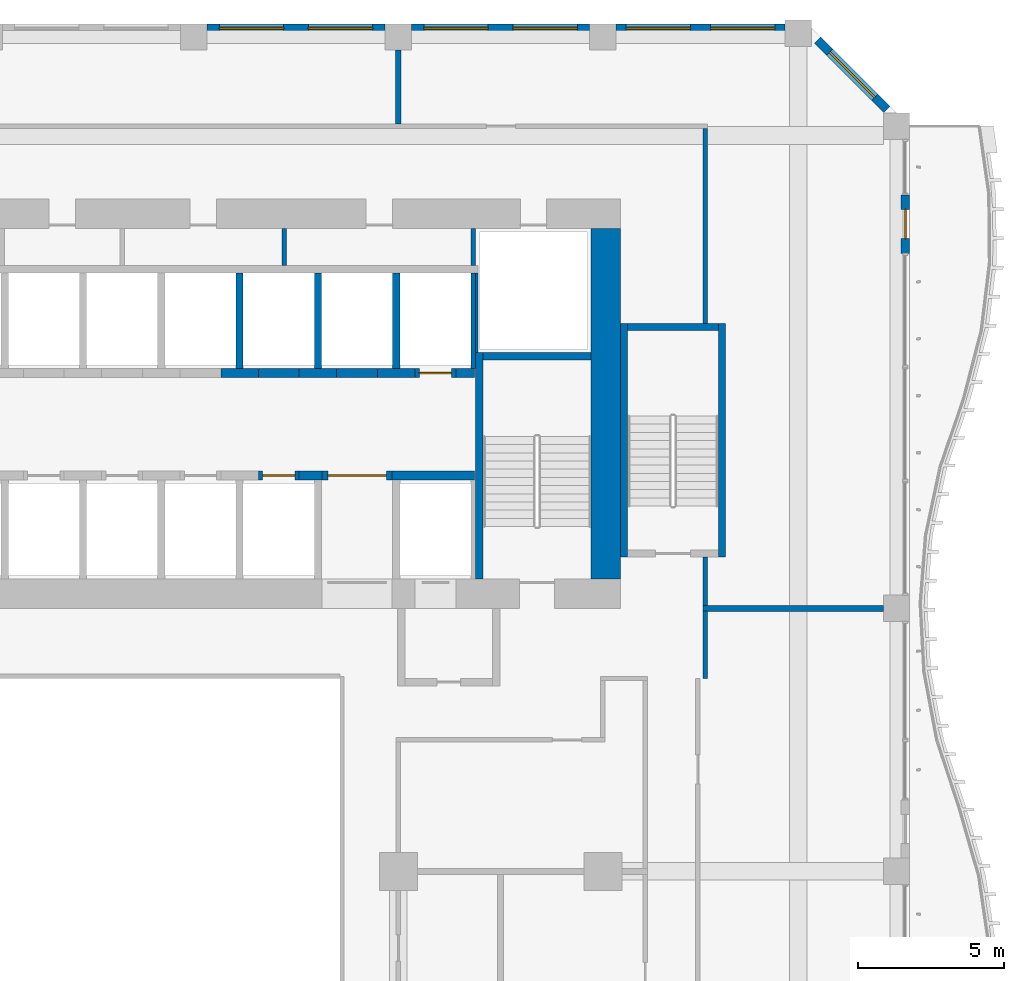
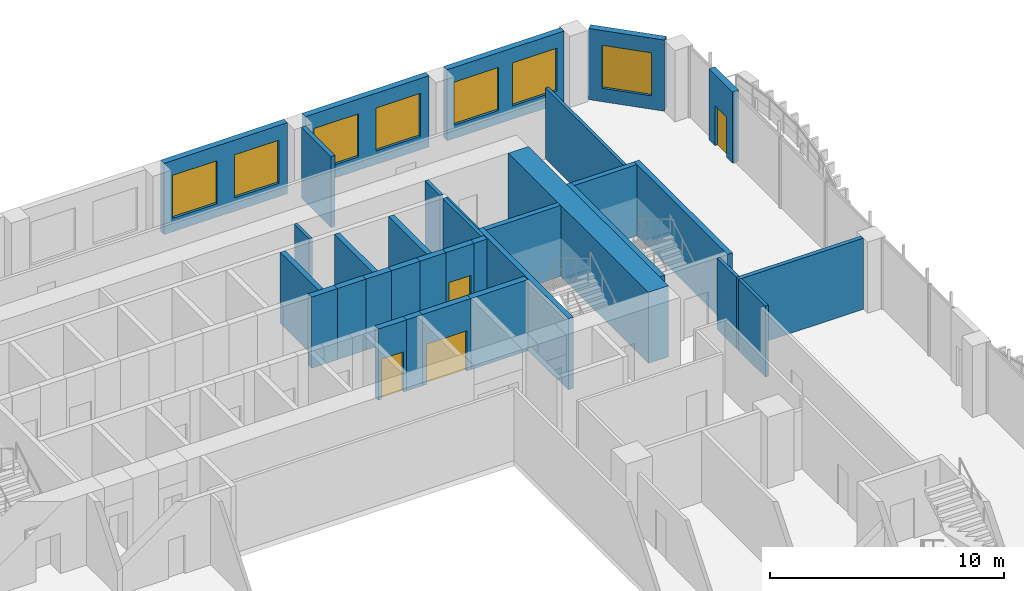
# One storey, part 17 of 26: 34 walls, 7 windows, 4 doors, 11 openings.
"""IFC4 building model written with IfcOpenShell, lengths in metres."""

from ifc_helpers import new_model, si_unit, direction, frame, frame_2d, origin, place, context, subcontext, project, spatial, rectangle, extrude, source, transform, mapped, material, layer, layer_set, type_object, element, fill, save


model = new_model("IFC4")

# Units and contexts
model_context = context("Model", 3, precision=1e-05, world=origin(), true_north=direction((0.0, 1.0)))
body_context = subcontext(model_context, "Body", "Model", "MODEL_VIEW")
ifc_project = project(units=[si_unit("LENGTHUNIT", "METRE"), si_unit("AREAUNIT", "SQUARE_METRE"), si_unit("VOLUMEUNIT", "CUBIC_METRE"), si_unit("PLANEANGLEUNIT", "RADIAN"), si_unit("MASSUNIT", "GRAM", prefix="KILO")], contexts=[model_context])

# Site, building, storey
site_placement = place(None, origin())
site = spatial("IfcSite", under=ifc_project, at=site_placement, CompositionType="ELEMENT")
building_placement = place(site_placement, origin())
building = spatial("IfcBuilding", under=site, at=building_placement, Name="Kilnfold Tower and Market Hall", CompositionType="ELEMENT")
storey_placement = place(building_placement, frame((0.0, 0.0, 31.0)))
storey = spatial("IfcBuildingStorey", under=building, at=storey_placement, Name="L06", CompositionType="ELEMENT", Elevation=31.0)

# Walls
ifc_material_1 = material(Name="Gypsum board on steel studs", Category="steel")
ifc_layer_1 = layer(ifc_material_1, 0.14990234375)
ifc_layer_set_1 = layer_set([ifc_layer_1], Name="Gypsum board on steel studs")
wall_type_1 = type_object("IfcWallType", Name="WALL CORRIDOR 150", PredefinedType="PARTITIONING", material=ifc_layer_set_1)
wall_1_placement = place(storey_placement, frame((21.0, 5.60009765625, 0.0), z_axis=(0.0, 0.0, 1.0), x_axis=(0.0, 1.0, 0.0)))
element("IfcWall", 1, at=wall_1_placement, inside=storey, type_object=wall_type_1, Name="Partition LY06.28", PredefinedType="PARTITIONING", context=body_context, shape_type="SweptSolid", body=[
    extrude(rectangle(XDim=2.309814453125, YDim=0.14990234375, at=frame_2d((1.15478515625, 0.0))), origin(), (0.0, 0.0, 1.0), 3.719970703125),
])
wall_2_placement = place(storey_placement, frame((21.0, 17.75, 0.0), z_axis=(0.0, 0.0, 1.0), x_axis=(0.0, 1.0, 0.0)))
element("IfcWall", 2, at=wall_2_placement, inside=storey, type_object=wall_type_1, Name="Partition LY06.30", PredefinedType="PARTITIONING", context=body_context, shape_type="SweptSolid", body=[
    extrude(rectangle(XDim=6.675048828125, YDim=0.14990234375, at=frame_2d((3.33740234375, 0.0))), origin(), (0.0, 0.0, 1.0), 3.719970703125),
])
wall_3_placement = place(storey_placement, frame((21.0, 8.090087890625, 0.0), z_axis=(0.0, 0.0, 1.0), x_axis=(0.0, 1.0, 0.0)))
element("IfcWall", 3, at=wall_3_placement, inside=storey, type_object=wall_type_1, Name="Partition LY06.31", PredefinedType="PARTITIONING", context=body_context, shape_type="SweptSolid", body=[
    extrude(rectangle(XDim=1.659912109375, YDim=0.14990234375, at=frame_2d((0.830078125, 0.0))), origin(), (0.0, 0.0, 1.0), 3.719970703125),
])
ifc_material_2 = material(Name="Gypsum board on steel studs", Category="steel")
ifc_layer_2 = layer(ifc_material_2, 0.199951171875)
ifc_layer_set_2 = layer_set([ifc_layer_2], Name="Gypsum board on steel studs")
wall_type_2 = type_object("IfcWallType", Name="WALL PARTY 200", PredefinedType="PARTITIONING", material=ifc_layer_set_2)
wall_4_placement = place(storey_placement, frame((20.926025390625, 8.0, 0.0), z_axis=(0.0, 0.0, 1.0), x_axis=(1.0, 0.0, 0.0)))
element("IfcWall", 4, at=wall_4_placement, inside=storey, type_object=wall_type_2, Name="Partition LY06.56", PredefinedType="PARTITIONING", context=body_context, shape_type="SweptSolid", body=[
    extrude(rectangle(XDim=6.174072265625, YDim=0.199951171875, at=frame_2d((3.0869140625, 0.0))), origin(), (0.0, 0.0, 1.0), 3.719970703125),
])
wall_5_placement = place(storey_placement, frame((10.5, 24.575927734375, 0.0), z_axis=(0.0, 0.0, 1.0), x_axis=(0.0, 1.0, 0.0)))
element("IfcWall", 5, at=wall_5_placement, inside=storey, type_object=wall_type_2, Name="Partition LY06.57", PredefinedType="PARTITIONING", context=body_context, shape_type="SweptSolid", body=[
    extrude(rectangle(XDim=2.524169921875, YDim=0.199951171875, at=frame_2d((1.26220703125, 0.0))), origin(), (0.0, 0.0, 1.0), 3.719970703125),
])
ifc_material_3 = material(Name="Concrete C80", Category="concrete")
ifc_layer_3 = layer(ifc_material_3, 1.0)
ifc_layer_set_3 = layer_set([ifc_layer_3], Name="Concrete C80")
wall_type_3 = type_object("IfcWallType", Name="CORE WALL 1000 C80", PredefinedType="SHEAR", material=ifc_layer_set_3)
shared_shape_1 = source(origin(), body_context, "Body", "SweptSolid", [
    extrude(rectangle(XDim=12.0, YDim=1.0, at=frame_2d((6.0, 0.0))), origin(), (0.0, 0.0, 1.0), 3.719970703125),
])
wall_6_placement = place(storey_placement, frame((17.60009765625, 9.0, 0.0), z_axis=(0.0, 0.0, 1.0), x_axis=(0.0, 1.0, 0.0)))
element("IfcWall", 6, at=wall_6_placement, inside=storey, type_object=wall_type_3, Name="Core outer wall east", PredefinedType="SHEAR", context=body_context, shape_type="MappedRepresentation", body=[
    mapped(shared_shape_1, transform((0.0, 0.0, 0.0))),
])
ifc_material_4 = material(Name="Concrete C80", Category="concrete")
ifc_layer_4 = layer(ifc_material_4, 0.25)
ifc_layer_set_4 = layer_set([ifc_layer_4], Name="Concrete C80")
wall_type_4 = type_object("IfcWallType", Name="CORE WALL 250 C80", PredefinedType="SHEAR", material=ifc_layer_set_4)
shared_shape_2 = source(origin(), body_context, "Body", "SweptSolid", [
    extrude(rectangle(XDim=7.75, YDim=0.25, at=frame_2d((3.875, 0.0))), origin(), (0.0, 0.0, 1.0), 3.719970703125),
])
wall_7_placement = place(storey_placement, frame((13.27490234375, 9.0, 0.0), z_axis=(0.0, 0.0, 1.0), x_axis=(0.0, 1.0, 0.0)))
element("IfcWall", 7, at=wall_7_placement, inside=storey, type_object=wall_type_4, Name="Stair enclosure ST2", PredefinedType="SHEAR", context=body_context, shape_type="MappedRepresentation", body=[
    mapped(shared_shape_2, transform((0.0, 0.0, 0.0))),
])
shared_shape_3 = source(origin(), body_context, "Body", "SweptSolid", [
    extrude(rectangle(XDim=3.7001953125, YDim=0.25, at=frame_2d((1.85009765625, 0.0))), origin(), (0.0, 0.0, 1.0), 3.719970703125),
])
wall_8_placement = place(storey_placement, frame((13.39990234375, 16.625, 0.0), z_axis=(0.0, 0.0, 1.0), x_axis=(1.0, 0.0, 0.0)))
element("IfcWall", 8, at=wall_8_placement, inside=storey, type_object=wall_type_4, Name="Stair enclosure ST2", PredefinedType="SHEAR", context=body_context, shape_type="MappedRepresentation", body=[
    mapped(shared_shape_3, transform((0.0, 0.0, 0.0))),
])
shared_shape_4 = source(origin(), body_context, "Body", "SweptSolid", [
    extrude(rectangle(XDim=8.0, YDim=0.25, at=frame_2d((4.0, 0.0))), origin(), (0.0, 0.0, 1.0), 3.719970703125),
])
for number, where, z_axis, x_axis, name in (
    (9, (18.22509765625, 9.75, 0.0), (0.0, 0.0, 1.0), (0.0, 1.0, 0.0), "Stair enclosure ST5"),
    (10, (21.574951171875, 9.75, 0.0), (0.0, 0.0, 1.0), (0.0, 1.0, 0.0), "Stair enclosure ST5"),
):
    element("IfcWall", number, at=place(storey_placement, frame(where, z_axis=z_axis, x_axis=x_axis)), inside=storey, type_object=wall_type_4, Name=name, PredefinedType="SHEAR", context=body_context, shape_type="MappedRepresentation", body=[
        mapped(shared_shape_4, transform((0.0, 0.0, 0.0))),
    ])
shared_shape_5 = source(origin(), body_context, "Body", "SweptSolid", [
    extrude(rectangle(XDim=3.099853515625, YDim=0.25, at=frame_2d((1.5498046875, 0.0))), origin(), (0.0, 0.0, 1.0), 3.719970703125),
])
wall_9_placement = place(storey_placement, frame((18.35009765625, 17.625, 0.0), z_axis=(0.0, 0.0, 1.0), x_axis=(1.0, 0.0, 0.0)))
element("IfcWall", 11, at=wall_9_placement, inside=storey, type_object=wall_type_4, Name="Stair enclosure ST5", PredefinedType="SHEAR", context=body_context, shape_type="MappedRepresentation", body=[
    mapped(shared_shape_5, transform((0.0, 0.0, 0.0))),
])
ifc_material_5 = material(Name="Concrete C80", Category="concrete")
ifc_layer_5 = layer(ifc_material_5, 0.300048828125)
ifc_layer_set_5 = layer_set([ifc_layer_5], Name="Concrete C80")
wall_type_5 = type_object("IfcWallType", Name="CORE WALL 300 C80", PredefinedType="SHEAR", material=ifc_layer_set_5)
shared_shape_6 = source(origin(), body_context, "Body", "SweptSolid", [
    extrude(rectangle(XDim=1.280029296875, YDim=0.300048828125, at=frame_2d((0.64013671875, 0.0))), origin(), (0.0, 0.0, 1.0), 3.719970703125),
])
for number, where, z_axis, x_axis, name in (
    (12, (4.429931640625, 16.050048828125, 0.0), (0.0, 0.0, 1.0), (1.0, 0.0, 0.0), "Core spine wall"),
    (13, (9.7900390625, 16.050048828125, 0.0), (0.0, 0.0, 1.0), (1.0, 0.0, 0.0), "Core spine wall"),
):
    element("IfcWall", number, at=place(storey_placement, frame(where, z_axis=z_axis, x_axis=x_axis)), inside=storey, type_object=wall_type_5, Name=name, PredefinedType="SHEAR", context=body_context, shape_type="MappedRepresentation", body=[
        mapped(shared_shape_6, transform((0.0, 0.0, 0.0))),
    ])
shared_shape_7 = source(origin(), body_context, "Body", "SweptSolid", [
    extrude(rectangle(XDim=0.77978515625, YDim=0.300048828125, at=frame_2d((0.389892578125, 0.0))), origin(), (0.0, 0.0, 1.0), 3.719970703125),
])
wall_10_placement = place(storey_placement, frame((7.110107421875, 12.550048828125, 0.0), z_axis=(0.0, 0.0, 1.0), x_axis=(1.0, 0.0, 0.0)))
element("IfcWall", 14, at=wall_10_placement, inside=storey, type_object=wall_type_5, Name="Core spine wall", PredefinedType="SHEAR", context=body_context, shape_type="MappedRepresentation", body=[
    mapped(shared_shape_7, transform((0.0, 0.0, 0.0))),
])
shared_shape_8 = source(origin(), body_context, "Body", "SweptSolid", [
    extrude(rectangle(XDim=2.820068359375, YDim=0.300048828125, at=frame_2d((1.41015625, 0.0))), origin(), (0.0, 0.0, 1.0), 3.719970703125),
])
wall_11_placement = place(storey_placement, frame((10.2900390625, 12.550048828125, 0.0), z_axis=(0.0, 0.0, 1.0), x_axis=(1.0, 0.0, 0.0)))
element("IfcWall", 15, at=wall_11_placement, inside=storey, type_object=wall_type_5, Name="Core spine wall", PredefinedType="SHEAR", context=body_context, shape_type="MappedRepresentation", body=[
    mapped(shared_shape_8, transform((0.0, 0.0, 0.0))),
])
shared_shape_9 = source(origin(), body_context, "Body", "SweptSolid", [
    extrude(rectangle(XDim=1.27978515625, YDim=0.300048828125, at=frame_2d((0.639892578125, 0.0))), origin(), (0.0, 0.0, 1.0), 3.719970703125),
])
wall_12_placement = place(storey_placement, frame((7.110107421875, 16.050048828125, 0.0), z_axis=(0.0, 0.0, 1.0), x_axis=(1.0, 0.0, 0.0)))
element("IfcWall", 16, at=wall_12_placement, inside=storey, type_object=wall_type_5, Name="Core spine wall", PredefinedType="SHEAR", context=body_context, shape_type="MappedRepresentation", body=[
    mapped(shared_shape_9, transform((0.0, 0.0, 0.0))),
])
shared_shape_10 = source(origin(), body_context, "Body", "SweptSolid", [
    extrude(rectangle(XDim=0.64013671875, YDim=0.300048828125, at=frame_2d((0.320068359375, 0.0))), origin(), (0.0, 0.0, 1.0), 3.719970703125),
])
wall_13_placement = place(storey_placement, frame((12.469970703125, 16.050048828125, 0.0), z_axis=(0.0, 0.0, 1.0), x_axis=(1.0, 0.0, 0.0)))
element("IfcWall", 17, at=wall_13_placement, inside=storey, type_object=wall_type_5, Name="Core spine wall", PredefinedType="SHEAR", context=body_context, shape_type="MappedRepresentation", body=[
    mapped(shared_shape_10, transform((0.0, 0.0, 0.0))),
])

# Wall, opening, door
ifc_material_6 = material(Name="Precast concrete C50/60", Category="concrete")
ifc_layer_6 = layer(ifc_material_6, 0.300048828125)
ifc_layer_set_6 = layer_set([ifc_layer_6], Name="Precast concrete C50/60")
wall_type_6 = type_object("IfcWallType", Name="PRECAST WALL 300", PredefinedType="SOLIDWALL", material=ifc_layer_set_6)
shared_shape_11 = source(origin(), body_context, "Body", "SweptSolid", [
    extrude(rectangle(XDim=2.0, YDim=0.300048828125, at=frame_2d((1.0, 0.0))), origin(), (0.0, 0.0, 1.0), 3.719970703125),
])
wall_14_placement = place(storey_placement, frame((27.85009765625, 20.14990234375, 0.0), z_axis=(0.0, 0.0, 1.0), x_axis=(0.0, 1.0, 0.0)))
wall_14 = element("IfcWall", 18, at=wall_14_placement, inside=storey, type_object=wall_type_6, Name="External wall L06 E", PredefinedType="SOLIDWALL", context=body_context, shape_type="MappedRepresentation", body=[
    mapped(shared_shape_11, transform((0.0, 0.0, 0.0))),
])
opening_1_placement = place(wall_14_placement, frame((0.5, 0.0, 0.0)))
opening_1 = element("IfcOpeningElement", 19, at=opening_1_placement, cuts=wall_14, Name="Opening BD1", PredefinedType="OPENING", context=body_context, shape_type="SweptSolid", body=[
    extrude(rectangle(XDim=1.0, YDim=2.10009765625, at=frame_2d((0.5, 1.050048828125))), frame((0.0, 0.16015625, 0.0), z_axis=(0.0, -1.0, 0.0), x_axis=(1.0, 0.0, 0.0)), (0.0, 0.0, 1.0), 0.320068359375),
])
ifc_material_7 = material(Name="Aluminium frame and double glazing", Category="aluminium")
door_type_1 = type_object("IfcDoorType", Name="BALCONY DOOR 1000X2100", OperationType="NOTDEFINED", PredefinedType="DOOR", material=ifc_material_7)
door_1_placement = place(opening_1_placement, origin())
door_1 = element("IfcDoor", 20, at=door_1_placement, inside=storey, type_object=door_type_1, Name="Balcony door BD1 L06 E-4", OperationType="SINGLE_SWING_RIGHT", OverallHeight=2.10009765625, OverallWidth=1.0, PredefinedType="DOOR", context=body_context, shape_type="SweptSolid", body=[
    extrude(rectangle(XDim=1.0, YDim=2.10009765625, at=frame_2d((0.5, 1.050048828125))), frame((0.0, 0.02490234375, 0.0), z_axis=(0.0, -1.0, 0.0), x_axis=(1.0, 0.0, 0.0)), (0.0, 0.0, 1.0), 0.050048828125),
])
fill(opening_1, door_1)

# Wall, opening, window
shared_shape_12 = source(origin(), body_context, "Body", "SweptSolid", [
    extrude(rectangle(XDim=3.35888671875, YDim=0.300048828125, at=frame_2d((1.679443359375, 0.0))), origin(), (0.0, 0.0, 1.0), 3.719970703125),
])
wall_15_placement = place(storey_placement, frame((27.218994140625, 25.06884765625, 0.0), z_axis=(0.0, 0.0, 1.0), x_axis=(-0.707070438228, 0.707143122278, 0.0)))
wall_15 = element("IfcWall", 21, at=wall_15_placement, inside=storey, type_object=wall_type_6, Name="External wall L06 NE", PredefinedType="SOLIDWALL", context=body_context, shape_type="MappedRepresentation", body=[
    mapped(shared_shape_12, transform((0.0, 0.0, 0.0))),
])
opening_2_placement = place(wall_15_placement, frame((0.579345703125, 0.0, 0.699951171875)))
opening_2 = element("IfcOpeningElement", 22, at=opening_2_placement, cuts=wall_15, Name="Opening W1", PredefinedType="OPENING", context=body_context, shape_type="SweptSolid", body=[
    extrude(rectangle(XDim=2.199951171875, YDim=2.25, at=frame_2d((1.10009765625, 1.125))), frame((0.0, 0.16015625, 0.0), z_axis=(0.0, -1.0, 0.0), x_axis=(1.0, 0.0, 0.0)), (0.0, 0.0, 1.0), 0.320068359375),
])
ifc_material_8 = material(Name="Aluminium frame and double glazing", Category="aluminium")
window_type = type_object("IfcWindowType", Name="WINDOW W1 2200X2250", PartitioningType="SINGLE_PANEL", PredefinedType="WINDOW", material=ifc_material_8)
window_1_placement = place(opening_2_placement, origin())
window_1 = element("IfcWindow", 23, at=window_1_placement, inside=storey, type_object=window_type, Name="Window W1 L06 NE-1", OverallHeight=2.25, OverallWidth=2.199951171875, PartitioningType="SINGLE_PANEL", PredefinedType="WINDOW", context=body_context, shape_type="SweptSolid", body=[
    extrude(rectangle(XDim=2.199951171875, YDim=2.25, at=frame_2d((1.10009765625, 1.125))), frame((0.0, 0.030029296875, 0.0), z_axis=(0.0, -1.0, 0.0), x_axis=(1.0, 0.0, 0.0)), (0.0, 0.0, 1.0), 0.06005859375),
])
fill(opening_2, window_1)

# Wall, openings, windows
shared_shape_13 = source(origin(), body_context, "Body", "SweptSolid", [
    extrude(rectangle(XDim=5.78173828125, YDim=0.300048828125, at=frame_2d((2.890869140625, 0.0))), origin(), (0.0, 0.0, 1.0), 3.719970703125),
])
wall_16_placement = place(storey_placement, frame((23.731689453125, 27.85009765625, 0.0), z_axis=(0.0, 0.0, 1.0), x_axis=(-1.0, 0.0, 0.0)))
wall_16 = element("IfcWall", 24, at=wall_16_placement, inside=storey, type_object=wall_type_6, Name="External wall L06 N", PredefinedType="SOLIDWALL", context=body_context, shape_type="MappedRepresentation", body=[
    mapped(shared_shape_13, transform((0.0, 0.0, 0.0))),
])
opening_3_placement = place(wall_16_placement, frame((0.345458984375, 0.0, 0.699951171875)))
opening_3 = element("IfcOpeningElement", 25, at=opening_3_placement, cuts=wall_16, Name="Opening W1", PredefinedType="OPENING", context=body_context, shape_type="SweptSolid", body=[
    extrude(rectangle(XDim=2.199951171875, YDim=2.25, at=frame_2d((1.10009765625, 1.125))), frame((0.0, 0.16015625, 0.0), z_axis=(0.0, -1.0, 0.0), x_axis=(1.0, 0.0, 0.0)), (0.0, 0.0, 1.0), 0.320068359375),
])
opening_4_placement = place(wall_16_placement, frame((3.236328125, 0.0, 0.699951171875)))
opening_4 = element("IfcOpeningElement", 26, at=opening_4_placement, cuts=wall_16, Name="Opening W1", PredefinedType="OPENING", context=body_context, shape_type="SweptSolid", body=[
    extrude(rectangle(XDim=2.199951171875, YDim=2.25, at=frame_2d((1.10009765625, 1.125))), frame((0.0, 0.16015625, 0.0), z_axis=(0.0, -1.0, 0.0), x_axis=(1.0, 0.0, 0.0)), (0.0, 0.0, 1.0), 0.320068359375),
])
window_2_placement = place(opening_3_placement, origin())
window_2 = element("IfcWindow", 27, at=window_2_placement, inside=storey, type_object=window_type, Name="Window W1 L06 N-1", OverallHeight=2.25, OverallWidth=2.199951171875, PartitioningType="SINGLE_PANEL", PredefinedType="WINDOW", context=body_context, shape_type="SweptSolid", body=[
    extrude(rectangle(XDim=2.199951171875, YDim=2.25, at=frame_2d((1.10009765625, 1.125))), frame((0.0, 0.030029296875, 0.0), z_axis=(0.0, -1.0, 0.0), x_axis=(1.0, 0.0, 0.0)), (0.0, 0.0, 1.0), 0.06005859375),
])
fill(opening_3, window_2)
window_3_placement = place(opening_4_placement, origin())
window_3 = element("IfcWindow", 28, at=window_3_placement, inside=storey, type_object=window_type, Name="Window W1 L06 N-2", OverallHeight=2.25, OverallWidth=2.199951171875, PartitioningType="SINGLE_PANEL", PredefinedType="WINDOW", context=body_context, shape_type="SweptSolid", body=[
    extrude(rectangle(XDim=2.199951171875, YDim=2.25, at=frame_2d((1.10009765625, 1.125))), frame((0.0, 0.030029296875, 0.0), z_axis=(0.0, -1.0, 0.0), x_axis=(1.0, 0.0, 0.0)), (0.0, 0.0, 1.0), 0.06005859375),
])
fill(opening_4, window_3)

shared_shape_14 = source(origin(), body_context, "Body", "SweptSolid", [
    extrude(rectangle(XDim=6.10009765625, YDim=0.300048828125, at=frame_2d((3.050048828125, 0.0))), origin(), (0.0, 0.0, 1.0), 3.719970703125),
])
wall_17_placement = place(storey_placement, frame((17.050048828125, 27.85009765625, 0.0), z_axis=(0.0, 0.0, 1.0), x_axis=(-1.0, 0.0, 0.0)))
wall_17 = element("IfcWall", 29, at=wall_17_placement, inside=storey, type_object=wall_type_6, Name="External wall L06 N", PredefinedType="SOLIDWALL", context=body_context, shape_type="MappedRepresentation", body=[
    mapped(shared_shape_14, transform((0.0, 0.0, 0.0))),
])
opening_5_placement = place(wall_17_placement, frame((0.425048828125, 0.0, 0.699951171875)))
opening_5 = element("IfcOpeningElement", 30, at=opening_5_placement, cuts=wall_17, Name="Opening W1", PredefinedType="OPENING", context=body_context, shape_type="SweptSolid", body=[
    extrude(rectangle(XDim=2.199951171875, YDim=2.25, at=frame_2d((1.10009765625, 1.125))), frame((0.0, 0.16015625, 0.0), z_axis=(0.0, -1.0, 0.0), x_axis=(1.0, 0.0, 0.0)), (0.0, 0.0, 1.0), 0.320068359375),
])
opening_6_placement = place(wall_17_placement, frame((3.47509765625, 0.0, 0.699951171875)))
opening_6 = element("IfcOpeningElement", 31, at=opening_6_placement, cuts=wall_17, Name="Opening W1", PredefinedType="OPENING", context=body_context, shape_type="SweptSolid", body=[
    extrude(rectangle(XDim=2.199951171875, YDim=2.25, at=frame_2d((1.10009765625, 1.125))), frame((0.0, 0.16015625, 0.0), z_axis=(0.0, -1.0, 0.0), x_axis=(1.0, 0.0, 0.0)), (0.0, 0.0, 1.0), 0.320068359375),
])
window_4_placement = place(opening_5_placement, origin())
window_4 = element("IfcWindow", 32, at=window_4_placement, inside=storey, type_object=window_type, Name="Window W1 L06 N-1", OverallHeight=2.25, OverallWidth=2.199951171875, PartitioningType="SINGLE_PANEL", PredefinedType="WINDOW", context=body_context, shape_type="SweptSolid", body=[
    extrude(rectangle(XDim=2.199951171875, YDim=2.25, at=frame_2d((1.10009765625, 1.125))), frame((0.0, 0.030029296875, 0.0), z_axis=(0.0, -1.0, 0.0), x_axis=(1.0, 0.0, 0.0)), (0.0, 0.0, 1.0), 0.06005859375),
])
fill(opening_5, window_4)
window_5_placement = place(opening_6_placement, origin())
window_5 = element("IfcWindow", 33, at=window_5_placement, inside=storey, type_object=window_type, Name="Window W1 L06 N-2", OverallHeight=2.25, OverallWidth=2.199951171875, PartitioningType="SINGLE_PANEL", PredefinedType="WINDOW", context=body_context, shape_type="SweptSolid", body=[
    extrude(rectangle(XDim=2.199951171875, YDim=2.25, at=frame_2d((1.10009765625, 1.125))), frame((0.0, 0.030029296875, 0.0), z_axis=(0.0, -1.0, 0.0), x_axis=(1.0, 0.0, 0.0)), (0.0, 0.0, 1.0), 0.06005859375),
])
fill(opening_6, window_5)

wall_18_placement = place(storey_placement, frame((10.050048828125, 27.85009765625, 0.0), z_axis=(0.0, 0.0, 1.0), x_axis=(-1.0, 0.0, 0.0)))
wall_18 = element("IfcWall", 34, at=wall_18_placement, inside=storey, type_object=wall_type_6, Name="External wall L06 N", PredefinedType="SOLIDWALL", context=body_context, shape_type="MappedRepresentation", body=[
    mapped(shared_shape_14, transform((0.0, 0.0, 0.0))),
])
opening_7_placement = place(wall_18_placement, frame((0.425048828125, 0.0, 0.699951171875)))
opening_7 = element("IfcOpeningElement", 35, at=opening_7_placement, cuts=wall_18, Name="Opening W1", PredefinedType="OPENING", context=body_context, shape_type="SweptSolid", body=[
    extrude(rectangle(XDim=2.199951171875, YDim=2.25, at=frame_2d((1.10009765625, 1.125))), frame((0.0, 0.16015625, 0.0), z_axis=(0.0, -1.0, 0.0), x_axis=(1.0, 0.0, 0.0)), (0.0, 0.0, 1.0), 0.320068359375),
])
opening_8_placement = place(wall_18_placement, frame((3.47509765625, 0.0, 0.699951171875)))
opening_8 = element("IfcOpeningElement", 36, at=opening_8_placement, cuts=wall_18, Name="Opening W1", PredefinedType="OPENING", context=body_context, shape_type="SweptSolid", body=[
    extrude(rectangle(XDim=2.199951171875, YDim=2.25, at=frame_2d((1.10009765625, 1.125))), frame((0.0, 0.16015625, 0.0), z_axis=(0.0, -1.0, 0.0), x_axis=(1.0, 0.0, 0.0)), (0.0, 0.0, 1.0), 0.320068359375),
])
window_6_placement = place(opening_7_placement, origin())
window_6 = element("IfcWindow", 37, at=window_6_placement, inside=storey, type_object=window_type, Name="Window W1 L06 N-1", OverallHeight=2.25, OverallWidth=2.199951171875, PartitioningType="SINGLE_PANEL", PredefinedType="WINDOW", context=body_context, shape_type="SweptSolid", body=[
    extrude(rectangle(XDim=2.199951171875, YDim=2.25, at=frame_2d((1.10009765625, 1.125))), frame((0.0, 0.030029296875, 0.0), z_axis=(0.0, -1.0, 0.0), x_axis=(1.0, 0.0, 0.0)), (0.0, 0.0, 1.0), 0.06005859375),
])
fill(opening_7, window_6)
window_7_placement = place(opening_8_placement, origin())
window_7 = element("IfcWindow", 38, at=window_7_placement, inside=storey, type_object=window_type, Name="Window W1 L06 N-2", OverallHeight=2.25, OverallWidth=2.199951171875, PartitioningType="SINGLE_PANEL", PredefinedType="WINDOW", context=body_context, shape_type="SweptSolid", body=[
    extrude(rectangle(XDim=2.199951171875, YDim=2.25, at=frame_2d((1.10009765625, 1.125))), frame((0.0, 0.030029296875, 0.0), z_axis=(0.0, -1.0, 0.0), x_axis=(1.0, 0.0, 0.0)), (0.0, 0.0, 1.0), 0.06005859375),
])
fill(opening_8, window_7)

# Wall, opening, door
ifc_material_9 = material(Name="Gypsum shaft wall system")
ifc_layer_7 = layer(ifc_material_9, 0.300048828125)
ifc_layer_set_7 = layer_set([ifc_layer_7], Name="Gypsum shaft wall system")
wall_type_7 = type_object("IfcWallType", Name="SHAFT WALL 300", PredefinedType="PARTITIONING", material=ifc_layer_set_7)
shared_shape_15 = source(origin(), body_context, "Body", "SweptSolid", [
    extrude(rectangle(XDim=1.39990234375, YDim=0.300048828125, at=frame_2d((0.699951171875, 0.0))), origin(), (0.0, 0.0, 1.0), 3.719970703125),
])
wall_19_placement = place(storey_placement, frame((11.070068359375, 16.050048828125, 0.0), z_axis=(0.0, 0.0, 1.0), x_axis=(1.0, 0.0, 0.0)))
wall_19 = element("IfcWall", 39, at=wall_19_placement, inside=storey, type_object=wall_type_7, Name="Lift shaft front wall", PredefinedType="PARTITIONING", context=body_context, shape_type="MappedRepresentation", body=[
    mapped(shared_shape_15, transform((0.0, 0.0, 0.0))),
])
opening_9_placement = place(wall_19_placement, frame((0.14990234375, 0.0, 0.0)))
opening_9 = element("IfcOpeningElement", 40, at=opening_9_placement, cuts=wall_19, Name="Opening LD2", PredefinedType="OPENING", context=body_context, shape_type="SweptSolid", body=[
    extrude(rectangle(XDim=1.10009765625, YDim=2.10009765625, at=frame_2d((0.550048828125, 1.050048828125))), frame((0.0, 0.16015625, 0.0), z_axis=(0.0, -1.0, 0.0), x_axis=(1.0, 0.0, 0.0)), (0.0, 0.0, 1.0), 0.320068359375),
])
ifc_material_10 = material(Name="Steel door set with fire-resisting leaf", Category="steel")
door_type_2 = type_object("IfcDoorType", Name="LANDING DOOR 1100X2100", OperationType="NOTDEFINED", PredefinedType="DOOR", material=ifc_material_10)
door_2_placement = place(opening_9_placement, origin())
door_2 = element("IfcDoor", 41, at=door_2_placement, inside=storey, type_object=door_type_2, Name="Landing door LR6", OperationType="DOUBLE_DOOR_SLIDING", OverallHeight=2.10009765625, OverallWidth=1.10009765625, PredefinedType="DOOR", context=body_context, shape_type="SweptSolid", body=[
    extrude(rectangle(XDim=1.10009765625, YDim=2.10009765625, at=frame_2d((0.550048828125, 1.050048828125))), frame((0.0, 0.02490234375, 0.0), z_axis=(0.0, -1.0, 0.0), x_axis=(1.0, 0.0, 0.0)), (0.0, 0.0, 1.0), 0.050048828125),
])
fill(opening_9, door_2)

shared_shape_16 = source(origin(), body_context, "Body", "SweptSolid", [
    extrude(rectangle(XDim=1.400146484375, YDim=0.300048828125, at=frame_2d((0.7001953125, 0.0))), origin(), (0.0, 0.0, 1.0), 3.719970703125),
])
wall_20_placement = place(storey_placement, frame((5.7099609375, 12.550048828125, 0.0), z_axis=(0.0, 0.0, 1.0), x_axis=(1.0, 0.0, 0.0)))
wall_20 = element("IfcWall", 42, at=wall_20_placement, inside=storey, type_object=wall_type_7, Name="Lift shaft front wall", PredefinedType="PARTITIONING", context=body_context, shape_type="MappedRepresentation", body=[
    mapped(shared_shape_16, transform((0.0, 0.0, 0.0))),
])
opening_10_placement = place(wall_20_placement, frame((0.14990234375, 0.0, 0.0)))
opening_10 = element("IfcOpeningElement", 43, at=opening_10_placement, cuts=wall_20, Name="Opening LD2", PredefinedType="OPENING", context=body_context, shape_type="SweptSolid", body=[
    extrude(rectangle(XDim=1.10009765625, YDim=2.10009765625, at=frame_2d((0.550048828125, 1.050048828125))), frame((0.0, 0.16015625, 0.0), z_axis=(0.0, -1.0, 0.0), x_axis=(1.0, 0.0, 0.0)), (0.0, 0.0, 1.0), 0.320068359375),
])
door_3_placement = place(opening_10_placement, origin())
door_3 = element("IfcDoor", 44, at=door_3_placement, inside=storey, type_object=door_type_2, Name="Landing door LR5", OperationType="DOUBLE_DOOR_SLIDING", OverallHeight=2.10009765625, OverallWidth=1.10009765625, PredefinedType="DOOR", context=body_context, shape_type="SweptSolid", body=[
    extrude(rectangle(XDim=1.10009765625, YDim=2.10009765625, at=frame_2d((0.550048828125, 1.050048828125))), frame((0.0, 0.02490234375, 0.0), z_axis=(0.0, -1.0, 0.0), x_axis=(1.0, 0.0, 0.0)), (0.0, 0.0, 1.0), 0.050048828125),
])
fill(opening_10, door_3)

# Walls
for number, where, z_axis, x_axis, name in (
    (45, (5.7099609375, 16.050048828125, 0.0), (0.0, 0.0, 1.0), (1.0, 0.0, 0.0), "Lift shaft front wall"),
    (46, (8.389892578125, 16.050048828125, 0.0), (0.0, 0.0, 1.0), (1.0, 0.0, 0.0), "Lift shaft front wall"),
):
    element("IfcWall", number, at=place(storey_placement, frame(where, z_axis=z_axis, x_axis=x_axis)), inside=storey, type_object=wall_type_7, Name=name, PredefinedType="PARTITIONING", context=body_context, shape_type="MappedRepresentation", body=[
        mapped(shared_shape_16, transform((0.0, 0.0, 0.0))),
    ])

# Wall, opening, door
shared_shape_17 = source(origin(), body_context, "Body", "SweptSolid", [
    extrude(rectangle(XDim=2.400146484375, YDim=0.300048828125, at=frame_2d((1.2001953125, 0.0))), origin(), (0.0, 0.0, 1.0), 3.719970703125),
])
wall_21_placement = place(storey_placement, frame((7.889892578125, 12.550048828125, 0.0), z_axis=(0.0, 0.0, 1.0), x_axis=(1.0, 0.0, 0.0)))
wall_21 = element("IfcWall", 47, at=wall_21_placement, inside=storey, type_object=wall_type_7, Name="Lift shaft front wall", PredefinedType="PARTITIONING", context=body_context, shape_type="MappedRepresentation", body=[
    mapped(shared_shape_17, transform((0.0, 0.0, 0.0))),
])
opening_11_placement = place(wall_21_placement, frame((0.199951171875, 0.0, 0.0)))
opening_11 = element("IfcOpeningElement", 48, at=opening_11_placement, cuts=wall_21, Name="Opening VD2", PredefinedType="OPENING", context=body_context, shape_type="SweptSolid", body=[
    extrude(rectangle(XDim=2.0, YDim=2.10009765625, at=frame_2d((1.0, 1.050048828125))), frame((0.0, 0.16015625, 0.0), z_axis=(0.0, -1.0, 0.0), x_axis=(1.0, 0.0, 0.0)), (0.0, 0.0, 1.0), 0.320068359375),
])
ifc_material_11 = material(Name="Steel door set with fire-resisting leaf", Category="steel")
door_type_3 = type_object("IfcDoorType", Name="LIFT LOBBY ENTRANCE DOOR 2000X2100", OperationType="NOTDEFINED", PredefinedType="DOOR", material=ifc_material_11)
door_4_placement = place(opening_11_placement, origin())
door_4 = element("IfcDoor", 49, at=door_4_placement, inside=storey, type_object=door_type_3, Name="Lift lobby entrance door", OperationType="DOUBLE_DOOR_SINGLE_SWING", OverallHeight=2.10009765625, OverallWidth=2.0, PredefinedType="DOOR", context=body_context, shape_type="SweptSolid", body=[
    extrude(rectangle(XDim=2.0, YDim=2.10009765625, at=frame_2d((1.0, 1.050048828125))), frame((0.0, 0.02490234375, 0.0), z_axis=(0.0, -1.0, 0.0), x_axis=(1.0, 0.0, 0.0)), (0.0, 0.0, 1.0), 0.050048828125),
])
fill(opening_11, door_4)

# Walls
ifc_material_12 = material(Name="Gypsum shaft wall system")
ifc_layer_8 = layer(ifc_material_12, 0.1650390625)
ifc_layer_set_8 = layer_set([ifc_layer_8], Name="Gypsum shaft wall system")
wall_type_8 = type_object("IfcWallType", Name="SHAFT WALL 165", PredefinedType="PARTITIONING", material=ifc_layer_set_8)
shared_shape_18 = source(origin(), body_context, "Body", "SweptSolid", [
    extrude(rectangle(XDim=3.275146484375, YDim=0.1650390625, at=frame_2d((1.6376953125, 0.0))), origin(), (0.0, 0.0, 1.0), 3.719970703125),
])
wall_22_placement = place(storey_placement, frame((13.0673828125, 16.199951171875, 0.0), z_axis=(0.0, 0.0, 1.0), x_axis=(0.0, 1.0, 0.0)))
element("IfcWall", 50, at=wall_22_placement, inside=storey, type_object=wall_type_8, Name="Lift shaft wall", PredefinedType="PARTITIONING", context=body_context, shape_type="MappedRepresentation", body=[
    mapped(shared_shape_18, transform((0.0, 0.0, 0.0))),
])
shared_shape_19 = source(origin(), body_context, "Body", "SweptSolid", [
    extrude(rectangle(XDim=1.27490234375, YDim=0.1650390625, at=frame_2d((0.637451171875, 0.0))), origin(), (0.0, 0.0, 1.0), 3.719970703125),
])
wall_23_placement = place(storey_placement, frame((13.0673828125, 19.72509765625, 0.0), z_axis=(0.0, 0.0, 1.0), x_axis=(0.0, 1.0, 0.0)))
element("IfcWall", 51, at=wall_23_placement, inside=storey, type_object=wall_type_8, Name="Lift shaft wall", PredefinedType="PARTITIONING", context=body_context, shape_type="MappedRepresentation", body=[
    mapped(shared_shape_19, transform((0.0, 0.0, 0.0))),
])
ifc_material_13 = material(Name="Gypsum shaft wall system")
ifc_layer_9 = layer(ifc_material_13, 0.25)
ifc_layer_set_9 = layer_set([ifc_layer_9], Name="Gypsum shaft wall system")
wall_type_9 = type_object("IfcWallType", Name="SHAFT WALL 250", PredefinedType="PARTITIONING", material=ifc_layer_set_9)
shared_shape_20 = source(origin(), body_context, "Body", "SweptSolid", [
    extrude(rectangle(XDim=3.275146484375, YDim=0.25, at=frame_2d((1.6376953125, 0.0))), origin(), (0.0, 0.0, 1.0), 3.719970703125),
])
for number, where, z_axis, x_axis, name in (
    (52, (10.429931640625, 16.199951171875, 0.0), (0.0, 0.0, 1.0), (0.0, 1.0, 0.0), "Lift shaft wall"),
    (53, (5.070068359375, 16.199951171875, 0.0), (0.0, 0.0, 1.0), (0.0, 1.0, 0.0), "Lift shaft wall"),
    (54, (7.75, 16.199951171875, 0.0), (0.0, 0.0, 1.0), (0.0, 1.0, 0.0), "Lift shaft wall"),
):
    element("IfcWall", number, at=place(storey_placement, frame(where, z_axis=z_axis, x_axis=x_axis)), inside=storey, type_object=wall_type_9, Name=name, PredefinedType="PARTITIONING", context=body_context, shape_type="MappedRepresentation", body=[
        mapped(shared_shape_20, transform((0.0, 0.0, 0.0))),
    ])
ifc_material_14 = material(Name="Gypsum shaft wall system")
ifc_layer_10 = layer(ifc_material_14, 0.0849609375)
ifc_layer_set_10 = layer_set([ifc_layer_10], Name="Gypsum shaft wall system")
wall_type_10 = type_object("IfcWallType", Name="SHAFT WALL 85", PredefinedType="PARTITIONING", material=ifc_layer_set_10)
shared_shape_21 = source(origin(), body_context, "Body", "SweptSolid", [
    extrude(rectangle(XDim=2.72509765625, YDim=0.0849609375, at=frame_2d((1.362548828125, 0.0))), origin(), (0.0, 0.0, 1.0), 3.719970703125),
])
wall_24_placement = place(storey_placement, frame((13.1923828125, 16.75, 0.0), z_axis=(0.0, 0.0, 1.0), x_axis=(0.0, 1.0, 0.0)))
element("IfcWall", 55, at=wall_24_placement, inside=storey, type_object=wall_type_10, Name="Lift shaft wall", PredefinedType="PARTITIONING", context=body_context, shape_type="MappedRepresentation", body=[
    mapped(shared_shape_21, transform((0.0, 0.0, 0.0))),
])
ifc_material_15 = material(Name="Gypsum shaft wall system")
ifc_layer_11 = layer(ifc_material_15, 0.14990234375)
ifc_layer_set_11 = layer_set([ifc_layer_11], Name="Gypsum shaft wall system")
wall_type_11 = type_object("IfcWallType", Name="ROOM WALL 150", PredefinedType="PARTITIONING", material=ifc_layer_set_11)
shared_shape_22 = source(origin(), body_context, "Body", "SweptSolid", [
    extrude(rectangle(XDim=1.27490234375, YDim=0.14990234375, at=frame_2d((0.637451171875, 0.0))), origin(), (0.0, 0.0, 1.0), 3.719970703125),
])
wall_25_placement = place(storey_placement, frame((6.59765625, 19.72509765625, 0.0), z_axis=(0.0, 0.0, 1.0), x_axis=(0.0, 1.0, 0.0)))
element("IfcWall", 56, at=wall_25_placement, inside=storey, type_object=wall_type_11, Name="Core room wall", PredefinedType="PARTITIONING", context=body_context, shape_type="MappedRepresentation", body=[
    mapped(shared_shape_22, transform((0.0, 0.0, 0.0))),
])

save(model, "model.ifc")
